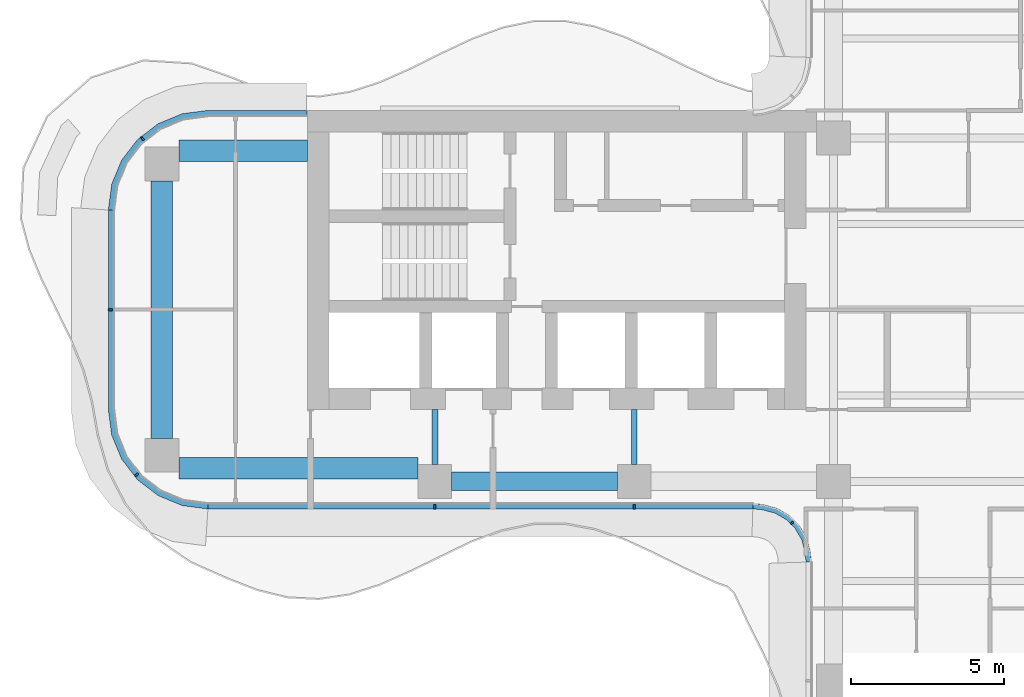
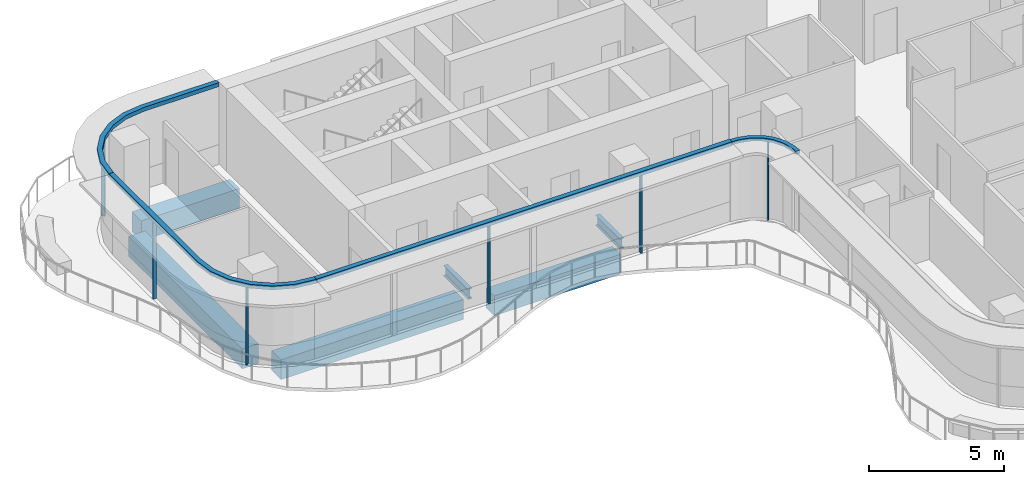
# One storey, part 3 of 17: 10 members, 6 beams, 4 elements without a shape of their own.
"""IFC4 building model written with IfcOpenShell, lengths in metres."""

from ifc_helpers import new_model, si_unit, direction, frame, origin, origin_2d, place, context, subcontext, project, spatial, polyline, rectangle, i_section, outline, extrude, source, transform, mapped, material, layer, layer_set, material_profile, profile_set, type_object, element, aggregate, save


model = new_model("IFC4")

# Units and contexts
model_context = context("Model", 3, precision=1e-05, world=origin(), true_north=direction((0.0, 1.0)))
body_context = subcontext(model_context, "Body", "Model", "MODEL_VIEW")
ifc_project = project(units=[si_unit("LENGTHUNIT", "METRE"), si_unit("AREAUNIT", "SQUARE_METRE"), si_unit("VOLUMEUNIT", "CUBIC_METRE"), si_unit("PLANEANGLEUNIT", "RADIAN"), si_unit("MASSUNIT", "GRAM", prefix="KILO")], contexts=[model_context])

# Site, building, storey
site_placement = place(None, origin())
site = spatial("IfcSite", under=ifc_project, at=site_placement, CompositionType="ELEMENT")
building_placement = place(site_placement, origin())
building = spatial("IfcBuilding", under=site, at=building_placement, Name="Trellis Farm Tower", CompositionType="ELEMENT")
storey_placement = place(building_placement, frame((0.0, 0.0, 259.699951171875)))
storey = spatial("IfcBuildingStorey", under=building, at=storey_placement, Name="L58", CompositionType="ELEMENT", Elevation=259.699951171875)

# Beams
ifc_material_1 = material(Name="Steel S355", Category="steel")
ifc_material_profile_1 = material_profile(ifc_material_1, i_section(OverallWidth=0.1904296875, OverallDepth=0.45703125, WebThickness=0.009033203125, FlangeThickness=0.014404296875, FilletRadius=0.01025390625, at=origin_2d()), Name="UB 457x191x74")
ifc_profile_set_1 = profile_set([ifc_material_profile_1], Name="Steel S355")
beam_type_1 = type_object("IfcBeamType", Name="UB 457x191x74", PredefinedType="BEAM", material=ifc_profile_set_1)
shared_shape_1 = source(origin(), body_context, "Body", "SweptSolid", [
    extrude(i_section(OverallWidth=0.1904296875, OverallDepth=0.45703125, WebThickness=0.009033203125, FlangeThickness=0.014404296875, FilletRadius=0.01025390625, at=origin_2d()), origin(), (0.0, 0.0, 1.0), 1.800048828125),
])
for number, where, z_axis, x_axis, name in (
    (1, (-18.60009765625, -5.050048828125, -0.428466796875), (0.0, 1.0, 0.0), (-1.0, 0.0, 0.0), "Girder"),
    (2, (-12.10009765625, -5.050048828125, -0.428466796875), (0.0, 1.0, 0.0), (-1.0, 0.0, 0.0), "Girder"),
):
    element("IfcBeam", number, at=place(storey_placement, frame(where, z_axis=z_axis, x_axis=x_axis)), inside=storey, type_object=beam_type_1, Name=name, PredefinedType="BEAM", context=body_context, shape_type="MappedRepresentation", body=[
        mapped(shared_shape_1, transform((0.0, 0.0, 0.0))),
    ])
ifc_material_2 = material(Name="Concrete C60/75", Category="concrete")
ifc_material_profile_2 = material_profile(ifc_material_2, rectangle(XDim=0.60009765625, YDim=0.89990234375, at=origin_2d()), Name="RC spandrel beam 600x900 C60/75")
ifc_profile_set_2 = profile_set([ifc_material_profile_2], Name="Concrete C60/75")
beam_type_2 = type_object("IfcBeamType", Name="RC spandrel beam 600x900 C60/75", PredefinedType="SPANDREL", material=ifc_profile_set_2)
shared_shape_2 = source(origin(), body_context, "Body", "SweptSolid", [
    extrude(rectangle(XDim=0.60009765625, YDim=0.89990234375, at=origin_2d()), origin(), (0.0, 0.0, 1.0), 5.400146484375),
])
beam_1_placement = place(storey_placement, frame((-18.050048828125, -5.60009765625, -0.64990234375), z_axis=(1.0, 0.0, 0.0), x_axis=(0.0, 1.0, 0.0)))
element("IfcBeam", 3, at=beam_1_placement, inside=storey, type_object=beam_type_2, Name="Girder", PredefinedType="SPANDREL", context=body_context, shape_type="MappedRepresentation", body=[
    mapped(shared_shape_2, transform((0.0, 0.0, 0.0))),
])
ifc_material_profile_3 = material_profile(ifc_material_2, rectangle(XDim=0.699951171875, YDim=0.89990234375, at=origin_2d()), Name="RC spandrel beam 700x900 C60/75")
ifc_profile_set_3 = profile_set([ifc_material_profile_3], Name="Concrete C60/75")
beam_type_3 = type_object("IfcBeamType", Name="RC spandrel beam 700x900 C60/75", PredefinedType="SPANDREL", material=ifc_profile_set_3)
shared_shape_3 = source(origin(), body_context, "Body", "SweptSolid", [
    extrude(rectangle(XDim=0.699951171875, YDim=0.89990234375, at=origin_2d()), origin(), (0.0, 0.0, 1.0), 8.39990234375),
])
beam_2_placement = place(storey_placement, frame((-27.5, -4.199951171875, -0.64990234375), z_axis=(0.0, 1.0, 0.0), x_axis=(-1.0, 0.0, 0.0)))
element("IfcBeam", 4, at=beam_2_placement, inside=storey, type_object=beam_type_3, Name="Girder", PredefinedType="SPANDREL", context=body_context, shape_type="MappedRepresentation", body=[
    mapped(shared_shape_3, transform((0.0, 0.0, 0.0))),
])
shared_shape_4 = source(origin(), body_context, "Body", "SweptSolid", [
    extrude(rectangle(XDim=0.699951171875, YDim=0.89990234375, at=origin_2d()), origin(), (0.0, 0.0, 1.0), 7.800048828125),
])
beam_3_placement = place(storey_placement, frame((-26.949951171875, -5.175048828125, -0.64990234375), z_axis=(1.0, 0.0, 0.0), x_axis=(0.0, 1.0, 0.0)))
element("IfcBeam", 5, at=beam_3_placement, inside=storey, type_object=beam_type_3, Name="Girder", PredefinedType="SPANDREL", context=body_context, shape_type="MappedRepresentation", body=[
    mapped(shared_shape_4, transform((0.0, 0.0, 0.0))),
])
shared_shape_5 = source(origin(), body_context, "Body", "SweptSolid", [
    extrude(rectangle(XDim=0.699951171875, YDim=0.89990234375, at=origin_2d()), origin(), (0.0, 0.0, 1.0), 4.199951171875),
])
beam_4_placement = place(storey_placement, frame((-26.949951171875, 5.175048828125, -0.64990234375), z_axis=(1.0, 0.0, 0.0), x_axis=(0.0, 1.0, 0.0)))
element("IfcBeam", 6, at=beam_4_placement, inside=storey, type_object=beam_type_3, Name="Girder", PredefinedType="SPANDREL", context=body_context, shape_type="MappedRepresentation", body=[
    mapped(shared_shape_5, transform((0.0, 0.0, 0.0))),
])

# Curtain wall, member
ifc_material_3 = material(Name="Aluminium and glass curtain wall", Category="aluminium")
ifc_layer_1 = layer(ifc_material_3, 0.166015625)
ifc_layer_set_1 = layer_set([ifc_layer_1], Name="WINTER GARDEN CURTAIN WALL CW3")
curtain_wall_type_1 = type_object("IfcCurtainWallType", Name="WINTER GARDEN CURTAIN WALL CW3", PredefinedType="NOTDEFINED", material=ifc_layer_set_1)
placement_1 = place(storey_placement, origin())
curtain_wall_1 = element("IfcCurtainWall", 7, at=placement_1, inside=storey, type_object=curtain_wall_type_1, Name="CW3 001", PredefinedType="NOTDEFINED")
ifc_material_4 = material(Name="Aluminium extrusion 6063-T6", Category="aluminium")
ifc_layer_2 = layer(ifc_material_4, 0.169921875)
ifc_layer_set_2 = layer_set([ifc_layer_2], Name="Aluminium extrusion 6063-T6")
member_type_1 = type_object("IfcMemberType", Name="CW3 TRANSOM 170x150", PredefinedType="USERDEFINED", material=ifc_layer_set_2)
shared_shape_6 = source(origin(), body_context, "Body", "SweptSolid", [
    extrude(outline(polyline([(-8.2314453125, -6.5), (-8.01953125, -6.513916015625), (-7.91552734375, -6.527587890625), (-7.508544921875, -6.63671875), (-7.144287109375, -6.846923828125), (-6.846923828125, -7.144287109375), (-6.63671875, -7.508544921875), (-6.527587890625, -7.91552734375), (-6.513916015625, -8.01953125), (-6.5, -8.2314453125), (-6.330078125, -8.225830078125), (-6.3447265625, -8.0029296875), (-6.360595703125, -7.88232421875), (-6.478271484375, -7.44287109375), (-6.7109375, -7.0400390625), (-7.0400390625, -6.7109375), (-7.44287109375, -6.478271484375), (-7.88232421875, -6.360595703125), (-8.0029296875, -6.3447265625), (-8.225830078125, -6.330078125), (-8.2314453125, -6.5)])), origin(), (0.0, 0.0, 1.0), 0.14990234375),
])
member_1_placement = place(storey_placement, frame((0.0, 0.0, 3.550048828125)))
member_1 = element("IfcMember", 8, at=member_1_placement, type_object=member_type_1, Name="TR3 001", ObjectType="TRANSOM", PredefinedType="USERDEFINED", context=body_context, shape_type="MappedRepresentation", body=[
    mapped(shared_shape_6, transform((0.0, 0.0, 0.0))),
])

# Curtain wall, members
ifc_layer_3 = layer(ifc_material_3, 0.18994140625)
ifc_layer_set_3 = layer_set([ifc_layer_3], Name="RIBBON CURTAIN WALL CW1")
curtain_wall_type_2 = type_object("IfcCurtainWallType", Name="RIBBON CURTAIN WALL CW1", PredefinedType="NOTDEFINED", material=ifc_layer_set_3)
curtain_wall_2 = element("IfcCurtainWall", 9, at=placement_1, inside=storey, type_object=curtain_wall_type_2, Name="CW1 001", PredefinedType="NOTDEFINED")
ifc_material_profile_4 = material_profile(ifc_material_4, rectangle(XDim=0.06005859375, YDim=0.14990234375, at=origin_2d()), Name="MULLION 60x150")
ifc_profile_set_4 = profile_set([ifc_material_profile_4], Name="Aluminium extrusion 6063-T6")
member_type_2 = type_object("IfcMemberType", Name="CW1 MULLION 60x150", PredefinedType="MULLION", material=ifc_profile_set_4)
shared_shape_7 = source(origin(), body_context, "Body", "SweptSolid", [
    extrude(rectangle(XDim=0.06005859375, YDim=0.14990234375, at=origin_2d()), origin(), (0.0, 0.0, 1.0), 3.52001953125),
])
member_2_placement = place(storey_placement, frame((-18.60009765625, -6.425048828125, 0.0), z_axis=(0.0, 0.0, 1.0), x_axis=(1.0, 0.0, 0.0)))
member_2 = element("IfcMember", 10, at=member_2_placement, type_object=member_type_2, Name="MU1 001-01", PredefinedType="MULLION", context=body_context, shape_type="MappedRepresentation", body=[
    mapped(shared_shape_7, transform((0.0, 0.0, 0.0))),
])
member_3_placement = place(storey_placement, frame((-12.10009765625, -6.425048828125, 0.0), z_axis=(0.0, 0.0, 1.0), x_axis=(1.0, 0.0, 0.0)))
member_3 = element("IfcMember", 11, at=member_3_placement, type_object=member_type_2, Name="MU1 001-02", PredefinedType="MULLION", context=body_context, shape_type="MappedRepresentation", body=[
    mapped(shared_shape_7, transform((0.0, 0.0, 0.0))),
])

# Curtain wall, member
curtain_wall_3 = element("IfcCurtainWall", 12, at=placement_1, inside=storey, type_object=curtain_wall_type_2, Name="CW1 012", PredefinedType="NOTDEFINED")
member_4_placement = place(storey_placement, frame((-28.135498046875, 5.578369140625, 0.0), z_axis=(0.0, 0.0, 1.0), x_axis=(-0.793353340291, -0.608761429009, 0.0)))
member_4 = element("IfcMember", 13, at=member_4_placement, type_object=member_type_2, Name="MU1 012-01", PredefinedType="MULLION", context=body_context, shape_type="MappedRepresentation", body=[
    mapped(shared_shape_7, transform((0.0, 0.0, 0.0))),
])

# Curtain wall, members
curtain_wall_4 = element("IfcCurtainWall", 14, at=placement_1, inside=storey, type_object=curtain_wall_type_2, Name="CW1 013", PredefinedType="NOTDEFINED")
member_5_placement = place(storey_placement, frame((-29.175048828125, 0.0, 0.0), z_axis=(0.0, 0.0, 1.0), x_axis=(0.0, -1.0, 0.0)))
member_5 = element("IfcMember", 15, at=member_5_placement, type_object=member_type_2, Name="MU1 013-01", PredefinedType="MULLION", context=body_context, shape_type="MappedRepresentation", body=[
    mapped(shared_shape_7, transform((0.0, 0.0, 0.0))),
])
member_6_placement = place(storey_placement, frame((-28.328369140625, -5.385498046875, 0.0), z_axis=(0.0, 0.0, 1.0), x_axis=(0.608761429009, -0.793353340291, 0.0)))
member_6 = element("IfcMember", 16, at=member_6_placement, type_object=member_type_2, Name="MU1 013-02", PredefinedType="MULLION", context=body_context, shape_type="MappedRepresentation", body=[
    mapped(shared_shape_7, transform((0.0, 0.0, 0.0))),
])

# Member
ifc_material_profile_5 = material_profile(ifc_material_4, rectangle(XDim=0.050048828125, YDim=0.1201171875, at=origin_2d()), Name="MULLION 50x120")
ifc_profile_set_5 = profile_set([ifc_material_profile_5], Name="Aluminium extrusion 6063-T6")
member_type_3 = type_object("IfcMemberType", Name="CW3 MULLION 50x120", PredefinedType="MULLION", material=ifc_profile_set_5)
shared_shape_8 = source(origin(), body_context, "Body", "SweptSolid", [
    extrude(rectangle(XDim=0.050048828125, YDim=0.1201171875, at=origin_2d()), origin(), (0.0, 0.0, 1.0), 3.550048828125),
])
member_7_placement = place(storey_placement, frame((-6.953125, -6.953125, 0.0), z_axis=(0.0, 0.0, 1.0), x_axis=(0.707106781187, -0.707106781187, 0.0)))
member_7 = element("IfcMember", 17, at=member_7_placement, type_object=member_type_3, Name="MU3 001-01", PredefinedType="MULLION", context=body_context, shape_type="MappedRepresentation", body=[
    mapped(shared_shape_8, transform((0.0, 0.0, 0.0))),
])

aggregate(curtain_wall_1, [member_7, member_1])

ifc_layer_4 = layer(ifc_material_4, 0.199951171875)
ifc_layer_set_4 = layer_set([ifc_layer_4], Name="Aluminium extrusion 6063-T6")
member_type_4 = type_object("IfcMemberType", Name="CW1 TRANSOM 200x180", PredefinedType="USERDEFINED", material=ifc_layer_set_4)
shared_shape_9 = source(origin(), body_context, "Body", "SweptSolid", [
    extrude(outline(polyline([(-26.0, -6.5), (-8.2314453125, -6.5), (-8.224853515625, -6.300048828125), (-25.98681640625, -6.300048828125), (-26.0, -6.5)])), origin(), (0.0, 0.0, 1.0), 0.179931640625),
])
placement_2 = place(storey_placement, frame((0.0, 0.0, 3.52001953125)))
member_8 = element("IfcMember", 18, at=placement_2, type_object=member_type_4, Name="TR1 001", ObjectType="TRANSOM", PredefinedType="USERDEFINED", context=body_context, shape_type="MappedRepresentation", body=[
    mapped(shared_shape_9, transform((0.0, 0.0, 0.0))),
])

aggregate(curtain_wall_2, [member_2, member_3, member_8])

shared_shape_10 = source(origin(), body_context, "Body", "SweptSolid", [
    extrude(outline(polyline([(-22.780029296875, 6.5), (-26.0, 6.5), (-26.841064453125, 6.38916015625), (-27.625, 6.064697265625), (-28.298095703125, 5.548095703125), (-28.814697265625, 4.875), (-29.13916015625, 4.091064453125), (-29.25, 3.25), (-29.050048828125, 3.23681640625), (-28.9443359375, 4.0390625), (-28.639892578125, 4.774169921875), (-28.155517578125, 5.405517578125), (-27.524169921875, 5.889892578125), (-26.7890625, 6.1943359375), (-25.98681640625, 6.300048828125), (-22.780029296875, 6.300048828125), (-22.780029296875, 6.5)])), origin(), (0.0, 0.0, 1.0), 0.179931640625),
])
member_9 = element("IfcMember", 19, at=placement_2, type_object=member_type_4, Name="TR1 012", ObjectType="TRANSOM", PredefinedType="USERDEFINED", context=body_context, shape_type="MappedRepresentation", body=[
    mapped(shared_shape_10, transform((0.0, 0.0, 0.0))),
])

aggregate(curtain_wall_3, [member_4, member_9])

shared_shape_11 = source(origin(), body_context, "Body", "SweptSolid", [
    extrude(outline(polyline([(-29.25, 3.25), (-29.25, -3.25), (-29.13916015625, -4.091064453125), (-28.814697265625, -4.875), (-28.298095703125, -5.548095703125), (-27.625, -6.064697265625), (-26.841064453125, -6.38916015625), (-26.0, -6.5), (-25.98681640625, -6.300048828125), (-26.7890625, -6.1943359375), (-27.524169921875, -5.889892578125), (-28.155517578125, -5.405517578125), (-28.639892578125, -4.774169921875), (-28.9443359375, -4.0390625), (-29.050048828125, -3.23681640625), (-29.050048828125, 3.23681640625), (-29.25, 3.25)])), origin(), (0.0, 0.0, 1.0), 0.179931640625),
])
member_10 = element("IfcMember", 20, at=placement_2, type_object=member_type_4, Name="TR1 013", ObjectType="TRANSOM", PredefinedType="USERDEFINED", context=body_context, shape_type="MappedRepresentation", body=[
    mapped(shared_shape_11, transform((0.0, 0.0, 0.0))),
])

aggregate(curtain_wall_4, [member_5, member_6, member_10])

save(model, "model.ifc")
